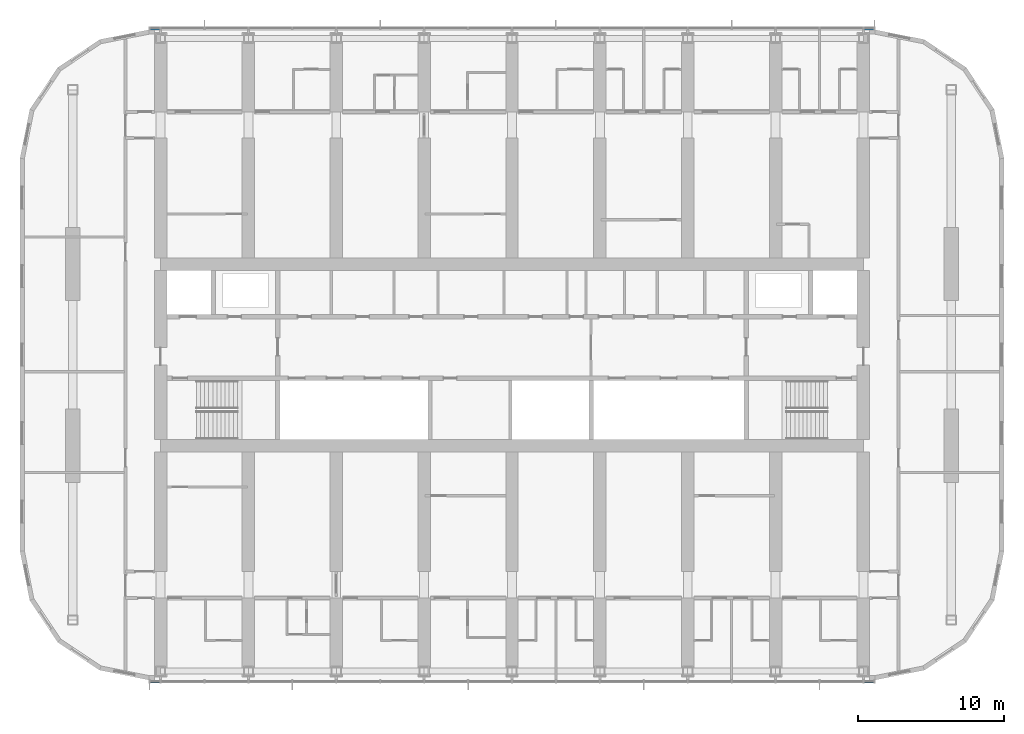
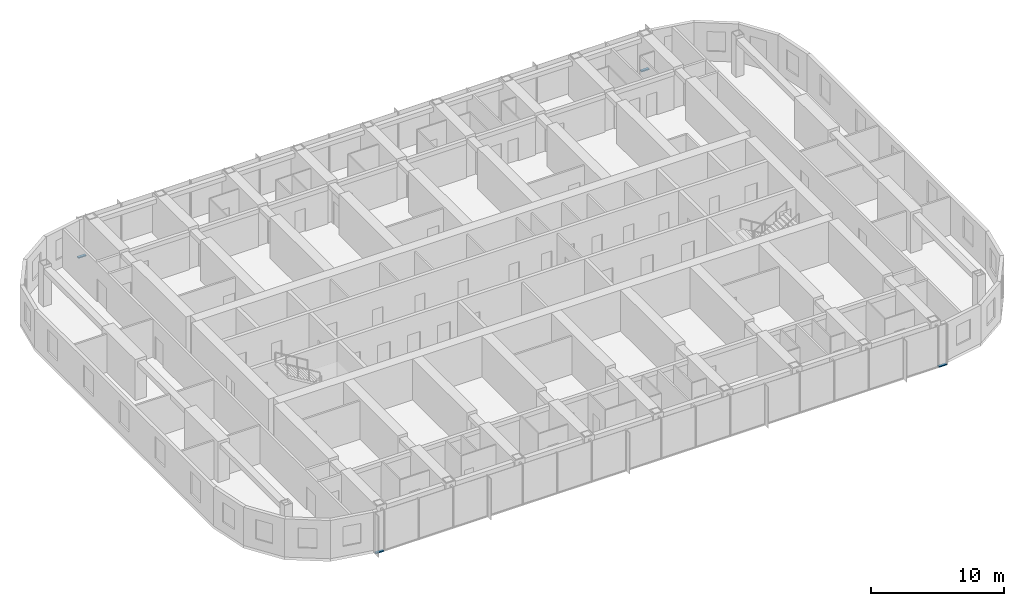
# One storey, part 6 of 23: 4 members, 2 elements without a shape of their own.
"""IFC4 building model written with IfcOpenShell, lengths in metres."""

from ifc_helpers import new_model, si_unit, direction, frame, origin, origin_2d, place, context, subcontext, project, spatial, rectangle, extrude, material, material_profile, profile_set, type_object, element, aggregate, save


model = new_model("IFC4")

# Units and contexts
model_context = context("Model", 3, precision=1e-05, world=origin(), true_north=direction((0.0, 1.0)))
body_context = subcontext(model_context, "Body", "Model", "MODEL_VIEW")
ifc_project = project(units=[si_unit("LENGTHUNIT", "METRE"), si_unit("AREAUNIT", "SQUARE_METRE"), si_unit("VOLUMEUNIT", "CUBIC_METRE"), si_unit("PLANEANGLEUNIT", "RADIAN"), si_unit("MASSUNIT", "GRAM", prefix="KILO")], contexts=[model_context])

# Site, building, storey
site_placement = place(None, origin())
site = spatial("IfcSite", under=ifc_project, at=site_placement, CompositionType="ELEMENT")
building_placement = place(site_placement, origin())
building = spatial("IfcBuilding", under=site, at=building_placement, Name="Orbita Commons", CompositionType="ELEMENT")
storey_placement = place(building_placement, frame((0.0, 0.0, 171.10009765625)))
storey = spatial("IfcBuildingStorey", under=building, at=storey_placement, Name="L42", CompositionType="ELEMENT", Elevation=171.10009765625)

# Curtain wall, members
ifc_material_1 = material(Name="Anodised aluminium frame, pale silver", Category="aluminium")
curtain_wall_type = type_object("IfcCurtainWallType", Name="Unitised curtain wall CW-U, full-height vision", PredefinedType="NOTDEFINED", material=ifc_material_1)
curtain_wall_1_placement = place(storey_placement, origin())
curtain_wall_1 = element("IfcCurtainWall", 1, at=curtain_wall_1_placement, inside=storey, type_object=curtain_wall_type, Name="Curtain wall south L42", PredefinedType="NOTDEFINED")
ifc_material_2 = material(Name="Anodised aluminium, pale silver", Category="aluminium")
ifc_material_profile = material_profile(ifc_material_2, rectangle(XDim=0.219970703125, YDim=0.10009765625, at=origin_2d()), Name="AL 220x100")
ifc_profile_set = profile_set([ifc_material_profile], Name="Anodised aluminium, pale silver")
member_type = type_object("IfcMemberType", Name="Curtain wall stack transom 220x100", PredefinedType="USERDEFINED", material=ifc_profile_set)
member_1_placement = place(storey_placement, frame((17.280029296875, 9.68994140625, -0.2001953125), z_axis=(1.0, 0.0, 0.0), x_axis=(0.0, 1.0, 0.0)))
member_1 = element("IfcMember", 2, at=member_1_placement, type_object=member_type, Name="Transom 1.1 CW-L42-S", ObjectType="TRANSOM", PredefinedType="USERDEFINED", context=body_context, shape_type="SweptSolid", body=[
    extrude(rectangle(XDim=0.219970703125, YDim=0.10009765625, at=origin_2d()), origin(), (0.0, 0.0, 1.0), 0.679931640625),
])
member_2_placement = place(storey_placement, frame((66.0400390625, 9.68994140625, -0.2001953125), z_axis=(1.0, 0.0, 0.0), x_axis=(0.0, 1.0, 0.0)))
member_2 = element("IfcMember", 3, at=member_2_placement, type_object=member_type, Name="Transom 18.1 CW-L42-S", ObjectType="TRANSOM", PredefinedType="USERDEFINED", context=body_context, shape_type="SweptSolid", body=[
    extrude(rectangle(XDim=0.219970703125, YDim=0.10009765625, at=origin_2d()), origin(), (0.0, 0.0, 1.0), 0.679931640625),
])
aggregate(curtain_wall_1, [member_1, member_2])

curtain_wall_2_placement = place(storey_placement, origin())
curtain_wall_2 = element("IfcCurtainWall", 4, at=curtain_wall_2_placement, inside=storey, type_object=curtain_wall_type, Name="Curtain wall north L42", PredefinedType="NOTDEFINED")
member_3_placement = place(storey_placement, frame((66.719970703125, 54.31005859375, -0.2001953125), z_axis=(-1.0, 0.0, 0.0), x_axis=(0.0, -1.0, 0.0)))
member_3 = element("IfcMember", 5, at=member_3_placement, type_object=member_type, Name="Transom 1.1 CW-L42-N", ObjectType="TRANSOM", PredefinedType="USERDEFINED", context=body_context, shape_type="SweptSolid", body=[
    extrude(rectangle(XDim=0.219970703125, YDim=0.10009765625, at=origin_2d()), origin(), (0.0, 0.0, 1.0), 0.679931640625),
])
member_4_placement = place(storey_placement, frame((17.9599609375, 54.31005859375, -0.2001953125), z_axis=(-1.0, 0.0, 0.0), x_axis=(0.0, -1.0, 0.0)))
member_4 = element("IfcMember", 6, at=member_4_placement, type_object=member_type, Name="Transom 18.1 CW-L42-N", ObjectType="TRANSOM", PredefinedType="USERDEFINED", context=body_context, shape_type="SweptSolid", body=[
    extrude(rectangle(XDim=0.219970703125, YDim=0.10009765625, at=origin_2d()), origin(), (0.0, 0.0, 1.0), 0.679931640625),
])
aggregate(curtain_wall_2, [member_3, member_4])

save(model, "model.ifc")
